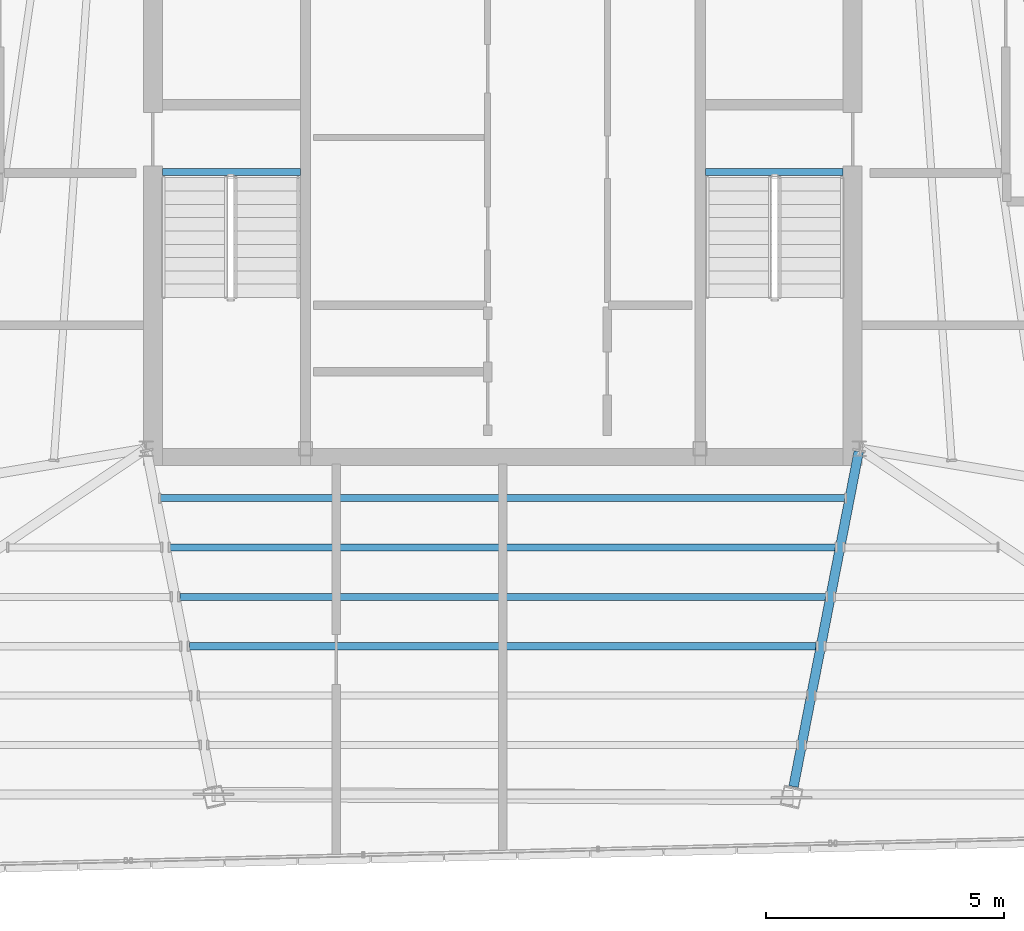
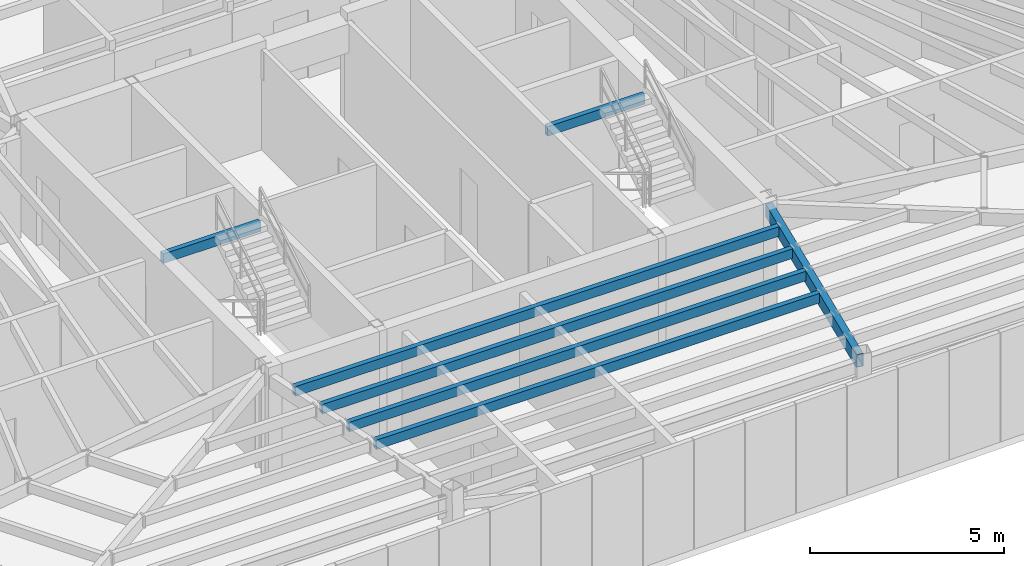
# One storey, part 16 of 47: 7 beams.
"""IFC4 building model written with IfcOpenShell, lengths in metres."""

from ifc_helpers import new_model, si_unit, direction, frame, origin, origin_2d, place, context, subcontext, project, spatial, hollow_rectangle, extrude, source, transform, mapped, material, material_profile, profile_set, type_object, type_shapes, element, save


model = new_model("IFC4")

# Units and contexts
model_context = context("Model", 3, precision=1e-05, world=origin(), true_north=direction((0.0, 1.0)))
body_context = subcontext(model_context, "Body", "Model", "MODEL_VIEW")
ifc_project = project(units=[si_unit("LENGTHUNIT", "METRE"), si_unit("AREAUNIT", "SQUARE_METRE"), si_unit("VOLUMEUNIT", "CUBIC_METRE"), si_unit("PLANEANGLEUNIT", "RADIAN"), si_unit("MASSUNIT", "GRAM", prefix="KILO")], contexts=[model_context])

# Site, building, storey
site_placement = place(None, origin())
site = spatial("IfcSite", under=ifc_project, at=site_placement, CompositionType="ELEMENT")
building_placement = place(site_placement, origin())
building = spatial("IfcBuilding", under=site, at=building_placement, Name="Caelisora Broadcast Tower", CompositionType="ELEMENT")
storey_placement = place(building_placement, frame((0.0, 0.0, 293.199951171875)))
storey = spatial("IfcBuildingStorey", under=building, at=storey_placement, Name="L77", CompositionType="ELEMENT", Elevation=293.199951171875)

# Beams
ifc_material = material(Name="Steel Grade 350 (AS/NZS 1163 C350L0)", Category="steel")
ifc_material_profile_1 = material_profile(ifc_material, hollow_rectangle(XDim=0.14990234375, YDim=0.300048828125, WallThickness=0.010009765625, at=origin_2d()), Name="Steel Grade 350 (AS/NZS 1163 C350L0)")
ifc_profile_set_1 = profile_set([ifc_material_profile_1], Name="Steel Grade 350 (AS/NZS 1163 C350L0)")
beam_type_1 = type_object("IfcBeamType", Name="SB05", PredefinedType="JOIST", material=ifc_profile_set_1)
shared_shape_1 = source(origin(), body_context, "Body", "SweptSolid", [
    extrude(hollow_rectangle(XDim=0.14990234375, YDim=0.300048828125, WallThickness=0.010009765625, at=origin_2d()), origin(), (0.0, 0.0, 1.0), 2.89990234375),
])
for number, where, z_axis, x_axis, name in (
    (1, (30.840087890625, 23.219970703125, 3.0), (1.0, 0.0, 0.0), (0.0, 1.0, 0.0), "L77 beam SB05"),
    (2, (42.260009765625, 23.219970703125, 3.0), (1.0, 0.0, 0.0), (0.0, 1.0, 0.0), "L77 beam SB05"),
):
    element("IfcBeam", number, at=place(storey_placement, frame(where, z_axis=z_axis, x_axis=x_axis)), inside=storey, type_object=beam_type_1, Name=name, PredefinedType="JOIST", context=body_context, shape_type="MappedRepresentation", body=[
        mapped(shared_shape_1, transform((0.0, 0.0, 0.0), scale=1.0)),
    ])
ifc_material_profile_2 = material_profile(ifc_material, hollow_rectangle(XDim=0.199951171875, YDim=0.39990234375, WallThickness=0.012451171875, at=origin_2d()), Name="Steel Grade 350 (AS/NZS 1163 C350L0)")
ifc_profile_set_2 = profile_set([ifc_material_profile_2], Name="Steel Grade 350 (AS/NZS 1163 C350L0)")
beam_type_2 = type_object("IfcBeamType", Name="PG07", PredefinedType="BEAM", material=ifc_profile_set_2)
shared_shape_2 = source(origin(), body_context, "Body", "SweptSolid", [
    extrude(hollow_rectangle(XDim=0.199951171875, YDim=0.39990234375, WallThickness=0.012451171875, at=origin_2d()), origin(), (0.0, 0.0, 1.0), 7.179931640625),
])
type_shapes(beam_type_2, [shared_shape_2])
beam_1_placement = place(storey_placement, frame((45.488525390625, 17.341064453125, 2.949951171875), z_axis=(-0.190993432642, -0.981591314493, 0.0), x_axis=(0.981591314493, -0.190993432642, 0.0)))
element("IfcBeam", 3, at=beam_1_placement, inside=storey, type_object=beam_type_2, Name="L77 beam PG07", PredefinedType="BEAM", context=body_context, shape_type="MappedRepresentation", body=[
    mapped(shared_shape_2, transform((0.0, 0.0, 0.0), scale=1.0)),
])
shared_shape_3 = source(origin(), body_context, "Body", "SweptSolid", [
    extrude(hollow_rectangle(XDim=0.14990234375, YDim=0.300048828125, WallThickness=0.010009765625, at=origin_2d()), origin(), (0.0, 0.0, 1.0), 14.39794921875),
])
beam_2_placement = place(storey_placement, frame((30.801025390625, 16.361083984375, 3.0), z_axis=(1.0, 0.0, 0.0), x_axis=(0.0, 1.0, 0.0)))
element("IfcBeam", 4, at=beam_2_placement, inside=storey, type_object=beam_type_1, Name="L77 beam SB05", PredefinedType="JOIST", context=body_context, shape_type="MappedRepresentation", body=[
    mapped(shared_shape_3, transform((0.0, 0.0, 0.0), scale=1.0)),
])
shared_shape_4 = source(origin(), body_context, "Body", "SweptSolid", [
    extrude(hollow_rectangle(XDim=0.14990234375, YDim=0.300048828125, WallThickness=0.010009765625, at=origin_2d()), origin(), (0.0, 0.0, 1.0), 13.99365234375),
])
beam_3_placement = place(storey_placement, frame((31.003173828125, 15.322265625, 3.0), z_axis=(1.0, 0.0, 0.0), x_axis=(0.0, 1.0, 0.0)))
element("IfcBeam", 5, at=beam_3_placement, inside=storey, type_object=beam_type_1, Name="L77 beam SB05", PredefinedType="JOIST", context=body_context, shape_type="MappedRepresentation", body=[
    mapped(shared_shape_4, transform((0.0, 0.0, 0.0), scale=1.0)),
])
shared_shape_5 = source(origin(), body_context, "Body", "SweptSolid", [
    extrude(hollow_rectangle(XDim=0.14990234375, YDim=0.300048828125, WallThickness=0.010009765625, at=origin_2d()), origin(), (0.0, 0.0, 1.0), 13.58935546875),
])
beam_4_placement = place(storey_placement, frame((31.205322265625, 14.283447265625, 3.0), z_axis=(1.0, 0.0, 0.0), x_axis=(0.0, 1.0, 0.0)))
element("IfcBeam", 6, at=beam_4_placement, inside=storey, type_object=beam_type_1, Name="L77 beam SB05", PredefinedType="JOIST", context=body_context, shape_type="MappedRepresentation", body=[
    mapped(shared_shape_5, transform((0.0, 0.0, 0.0), scale=1.0)),
])
shared_shape_6 = source(origin(), body_context, "Body", "SweptSolid", [
    extrude(hollow_rectangle(XDim=0.14990234375, YDim=0.300048828125, WallThickness=0.010009765625, at=origin_2d()), origin(), (0.0, 0.0, 1.0), 13.18505859375),
])
type_shapes(beam_type_1, [shared_shape_1, shared_shape_3, shared_shape_4, shared_shape_5, shared_shape_6])
beam_5_placement = place(storey_placement, frame((31.407470703125, 13.24462890625, 3.0), z_axis=(1.0, 0.0, 0.0), x_axis=(0.0, 1.0, 0.0)))
element("IfcBeam", 7, at=beam_5_placement, inside=storey, type_object=beam_type_1, Name="L77 beam SB05", PredefinedType="JOIST", context=body_context, shape_type="MappedRepresentation", body=[
    mapped(shared_shape_6, transform((0.0, 0.0, 0.0), scale=1.0)),
])

save(model, "model.ifc")
